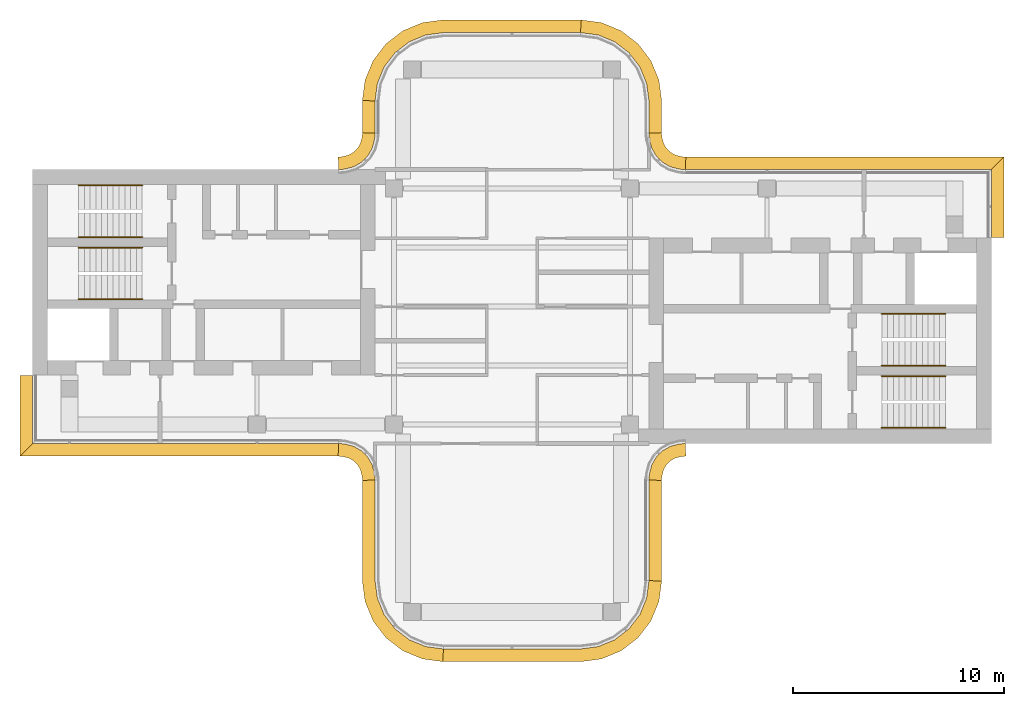
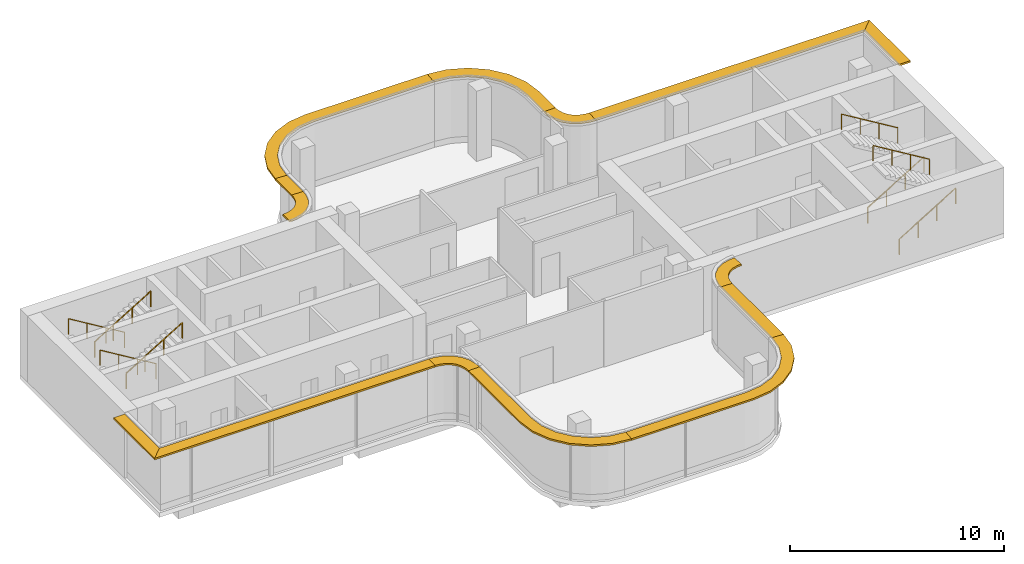
# One storey, part 10 of 10: 14 shading devices, 8 railings.
"""IFC4 building model written with IfcOpenShell, lengths in metres."""

from ifc_helpers import new_model, si_unit, direction, frame, origin, origin_2d, place, context, subcontext, project, spatial, polyline, circle, outline, extrude, source, transform, mapped, material, layer, layer_set, type_object, element, save


model = new_model("IFC4")

# Units and contexts
model_context = context("Model", 3, precision=1e-05, world=origin(), true_north=direction((0.0, 1.0)))
body_context = subcontext(model_context, "Body", "Model", "MODEL_VIEW")
ifc_project = project(units=[si_unit("LENGTHUNIT", "METRE"), si_unit("AREAUNIT", "SQUARE_METRE"), si_unit("VOLUMEUNIT", "CUBIC_METRE"), si_unit("PLANEANGLEUNIT", "RADIAN"), si_unit("MASSUNIT", "GRAM", prefix="KILO")], contexts=[model_context])

# Site, building, storey
site_placement = place(None, origin())
site = spatial("IfcSite", under=ifc_project, at=site_placement, CompositionType="ELEMENT")
building_placement = place(site_placement, origin())
building = spatial("IfcBuilding", under=site, at=building_placement, Name="Trellis Farm Tower", CompositionType="ELEMENT")
storey_placement = place(building_placement, frame((0.0, 0.0, 350.10009765625)))
storey = spatial("IfcBuildingStorey", under=building, at=storey_placement, Name="L79", CompositionType="ELEMENT", Elevation=350.10009765625)

# Railings
ifc_material_1 = material(Name="Stainless steel", Category="steel")
railing_type = type_object("IfcRailingType", Name="STAIR HANDRAIL 900", PredefinedType="HANDRAIL", material=ifc_material_1)
shared_shape_1 = source(origin(), body_context, "Body", "SweptSolid", [
    extrude(circle(Radius=0.02392578125, at=origin_2d()), frame((0.0, 0.0, 0.8759765625), z_axis=(0.855170017971, 0.0, 0.518347605727), x_axis=(0.0, 1.0, 0.0)), (0.0, 0.0, 1.0), 3.537109375),
    extrude(circle(Radius=0.02099609375, at=origin_2d()), origin(), (0.0, 0.0, 1.0), 0.851806640625),
    extrude(circle(Radius=0.02099609375, at=origin_2d()), frame((1.00830078125, 0.0, 0.611083984375)), (0.0, 0.0, 1.0), 0.851806640625),
    extrude(circle(Radius=0.02099609375, at=origin_2d()), frame((2.0166015625, 0.0, 1.222412109375)), (0.0, 0.0, 1.0), 0.851806640625),
    extrude(circle(Radius=0.02099609375, at=origin_2d()), frame((3.02490234375, 0.0, 1.83349609375)), (0.0, 0.0, 1.0), 0.851806640625),
])
for number, where, name in (
    (1, (17.550048828125, -5.75, 0.16650390625), "Stair handrail"),
    (2, (17.550048828125, -2.800048828125, 0.16650390625), "Stair handrail"),
    (3, (-20.574951171875, 3.300048828125, 2.16650390625), "Stair handrail"),
    (4, (-20.574951171875, 0.35009765625, 2.16650390625), "Stair handrail"),
):
    element("IfcRailing", number, at=place(storey_placement, frame(where)), inside=storey, type_object=railing_type, Name=name, PredefinedType="HANDRAIL", context=body_context, shape_type="MappedRepresentation", body=[
        mapped(shared_shape_1, transform((0.0, 0.0, 0.0))),
    ])
shared_shape_2 = source(origin(), body_context, "Body", "SweptSolid", [
    extrude(circle(Radius=0.02392578125, at=origin_2d()), frame((0.0, 0.0, 0.8759765625), z_axis=(-0.855170017971, 0.0, 0.518347605727), x_axis=(0.0, -1.0, 0.0)), (0.0, 0.0, 1.0), 3.537109375),
    extrude(circle(Radius=0.02099609375, at=origin_2d()), origin(), (0.0, 0.0, 1.0), 0.851806640625),
    extrude(circle(Radius=0.02099609375, at=origin_2d()), frame((-1.00830078125, 0.0, 0.611083984375)), (0.0, 0.0, 1.0), 0.851806640625),
    extrude(circle(Radius=0.02099609375, at=origin_2d()), frame((-2.0166015625, 0.0, 1.222412109375)), (0.0, 0.0, 1.0), 0.851806640625),
    extrude(circle(Radius=0.02099609375, at=origin_2d()), frame((-3.02490234375, 0.0, 1.83349609375)), (0.0, 0.0, 1.0), 0.851806640625),
])
for number, where, name in (
    (5, (20.574951171875, -3.300048828125, 2.16650390625), "Stair handrail"),
    (6, (20.574951171875, -0.35009765625, 2.16650390625), "Stair handrail"),
    (7, (-17.550048828125, 5.75, 0.16650390625), "Stair handrail"),
    (8, (-17.550048828125, 2.800048828125, 0.16650390625), "Stair handrail"),
):
    element("IfcRailing", number, at=place(storey_placement, frame(where)), inside=storey, type_object=railing_type, Name=name, PredefinedType="HANDRAIL", context=body_context, shape_type="MappedRepresentation", body=[
        mapped(shared_shape_2, transform((0.0, 0.0, 0.0))),
    ])

# Shading devices
ifc_material_2 = material(Name="Aluminium extrusion 6063-T6", Category="aluminium")
ifc_layer = layer(ifc_material_2, 0.10009765625)
ifc_layer_set = layer_set([ifc_layer], Name="SUNSHADE BLADE 600")
shading_device_type = type_object("IfcShadingDeviceType", Name="SUNSHADE BLADE 600", PredefinedType="USERDEFINED", material=ifc_layer_set)
shared_shape_3 = source(origin(), body_context, "Body", "SweptSolid", [
    extrude(outline(polyline([(7.10009765625, -8.2509765625), (7.111328125, -8.078369140625), (7.1171875, -8.032958984375), (7.19580078125, -7.739990234375), (7.3271484375, -7.5126953125), (7.5126953125, -7.3271484375), (7.739990234375, -7.19580078125), (8.032958984375, -7.1171875), (8.078369140625, -7.111328125), (8.2509765625, -7.10009765625), (8.2314453125, -6.5), (8.01953125, -6.513916015625), (7.91552734375, -6.527587890625), (7.508544921875, -6.63671875), (7.144287109375, -6.846923828125), (6.846923828125, -7.144287109375), (6.63671875, -7.508544921875), (6.527587890625, -7.91552734375), (6.513916015625, -8.01953125), (6.5, -8.2314453125), (7.10009765625, -8.2509765625)])), origin(), (0.0, 0.0, 1.0), 0.10009765625),
])
placement = place(storey_placement, frame((0.0, 0.0, 3.58984375)))
element("IfcShadingDevice", 9, at=placement, inside=storey, type_object=shading_device_type, Name="SD3 004", ObjectType="SUNSHADE", PredefinedType="USERDEFINED", context=body_context, shape_type="MappedRepresentation", body=[
    mapped(shared_shape_3, transform((0.0, 0.0, 0.0))),
])
shared_shape_4 = source(origin(), body_context, "Body", "SweptSolid", [
    extrude(outline(polyline([(23.35009765625, 3.280029296875), (23.35009765625, 7.10009765625), (22.75, 6.5), (22.75, 3.280029296875), (23.35009765625, 3.280029296875)])), origin(), (0.0, 0.0, 1.0), 0.10009765625),
])
element("IfcShadingDevice", 10, at=placement, inside=storey, type_object=shading_device_type, Name="SD3 005", ObjectType="SUNSHADE", PredefinedType="USERDEFINED", context=body_context, shape_type="MappedRepresentation", body=[
    mapped(shared_shape_4, transform((0.0, 0.0, 0.0))),
])
shared_shape_5 = source(origin(), body_context, "Body", "SweptSolid", [
    extrude(outline(polyline([(23.35009765625, 7.10009765625), (8.2509765625, 7.10009765625), (8.2314453125, 6.5), (22.75, 6.5), (23.35009765625, 7.10009765625)])), origin(), (0.0, 0.0, 1.0), 0.10009765625),
])
element("IfcShadingDevice", 11, at=placement, inside=storey, type_object=shading_device_type, Name="SD3 006", ObjectType="SUNSHADE", PredefinedType="USERDEFINED", context=body_context, shape_type="MappedRepresentation", body=[
    mapped(shared_shape_5, transform((0.0, 0.0, 0.0))),
])
shared_shape_6 = source(origin(), body_context, "Body", "SweptSolid", [
    extrude(outline(polyline([(8.2509765625, 7.10009765625), (8.078369140625, 7.111328125), (8.032958984375, 7.1171875), (7.739990234375, 7.19580078125), (7.5126953125, 7.3271484375), (7.3271484375, 7.5126953125), (7.19580078125, 7.739990234375), (7.1171875, 8.032958984375), (7.111328125, 8.078369140625), (7.10009765625, 8.2509765625), (6.5, 8.2314453125), (6.513916015625, 8.01953125), (6.527587890625, 7.91552734375), (6.63671875, 7.508544921875), (6.846923828125, 7.144287109375), (7.144287109375, 6.846923828125), (7.508544921875, 6.63671875), (7.91552734375, 6.527587890625), (8.01953125, 6.513916015625), (8.2314453125, 6.5), (8.2509765625, 7.10009765625)])), origin(), (0.0, 0.0, 1.0), 0.10009765625),
])
element("IfcShadingDevice", 12, at=placement, inside=storey, type_object=shading_device_type, Name="SD3 007", ObjectType="SUNSHADE", PredefinedType="USERDEFINED", context=body_context, shape_type="MappedRepresentation", body=[
    mapped(shared_shape_6, transform((0.0, 0.0, 0.0))),
])
shared_shape_7 = source(origin(), body_context, "Body", "SweptSolid", [
    extrude(outline(polyline([(-7.10009765625, 8.2509765625), (-7.111328125, 8.078369140625), (-7.1171875, 8.032958984375), (-7.19580078125, 7.739990234375), (-7.3271484375, 7.5126953125), (-7.5126953125, 7.3271484375), (-7.739990234375, 7.19580078125), (-8.032958984375, 7.1171875), (-8.078369140625, 7.111328125), (-8.2509765625, 7.10009765625), (-8.2314453125, 6.5), (-8.01953125, 6.513916015625), (-7.91552734375, 6.527587890625), (-7.508544921875, 6.63671875), (-7.144287109375, 6.846923828125), (-6.846923828125, 7.144287109375), (-6.63671875, 7.508544921875), (-6.527587890625, 7.91552734375), (-6.513916015625, 8.01953125), (-6.5, 8.2314453125), (-7.10009765625, 8.2509765625)])), origin(), (0.0, 0.0, 1.0), 0.10009765625),
])
element("IfcShadingDevice", 13, at=placement, inside=storey, type_object=shading_device_type, Name="SD3 011", ObjectType="SUNSHADE", PredefinedType="USERDEFINED", context=body_context, shape_type="MappedRepresentation", body=[
    mapped(shared_shape_7, transform((0.0, 0.0, 0.0))),
])
shared_shape_8 = source(origin(), body_context, "Body", "SweptSolid", [
    extrude(outline(polyline([(-23.35009765625, -3.280029296875), (-23.35009765625, -7.10009765625), (-22.75, -6.5), (-22.75, -3.280029296875), (-23.35009765625, -3.280029296875)])), origin(), (0.0, 0.0, 1.0), 0.10009765625),
])
element("IfcShadingDevice", 14, at=placement, inside=storey, type_object=shading_device_type, Name="SD3 012", ObjectType="SUNSHADE", PredefinedType="USERDEFINED", context=body_context, shape_type="MappedRepresentation", body=[
    mapped(shared_shape_8, transform((0.0, 0.0, 0.0))),
])
shared_shape_9 = source(origin(), body_context, "Body", "SweptSolid", [
    extrude(outline(polyline([(-23.35009765625, -7.10009765625), (-8.2509765625, -7.10009765625), (-8.2314453125, -6.5), (-22.75, -6.5), (-23.35009765625, -7.10009765625)])), origin(), (0.0, 0.0, 1.0), 0.10009765625),
])
element("IfcShadingDevice", 15, at=placement, inside=storey, type_object=shading_device_type, Name="SD3 013", ObjectType="SUNSHADE", PredefinedType="USERDEFINED", context=body_context, shape_type="MappedRepresentation", body=[
    mapped(shared_shape_9, transform((0.0, 0.0, 0.0))),
])
shared_shape_10 = source(origin(), body_context, "Body", "SweptSolid", [
    extrude(outline(polyline([(-8.2509765625, -7.10009765625), (-8.078369140625, -7.111328125), (-8.032958984375, -7.1171875), (-7.739990234375, -7.19580078125), (-7.5126953125, -7.3271484375), (-7.3271484375, -7.5126953125), (-7.19580078125, -7.739990234375), (-7.1171875, -8.032958984375), (-7.111328125, -8.078369140625), (-7.10009765625, -8.2509765625), (-6.5, -8.2314453125), (-6.513916015625, -8.01953125), (-6.527587890625, -7.91552734375), (-6.63671875, -7.508544921875), (-6.846923828125, -7.144287109375), (-7.144287109375, -6.846923828125), (-7.508544921875, -6.63671875), (-7.91552734375, -6.527587890625), (-8.01953125, -6.513916015625), (-8.2314453125, -6.5), (-8.2509765625, -7.10009765625)])), origin(), (0.0, 0.0, 1.0), 0.10009765625),
])
element("IfcShadingDevice", 16, at=placement, inside=storey, type_object=shading_device_type, Name="SD3 014", ObjectType="SUNSHADE", PredefinedType="USERDEFINED", context=body_context, shape_type="MappedRepresentation", body=[
    mapped(shared_shape_10, transform((0.0, 0.0, 0.0))),
])
shared_shape_11 = source(origin(), body_context, "Body", "SweptSolid", [
    extrude(outline(polyline([(-7.10009765625, -8.2509765625), (-7.10009765625, -13.039306640625), (-6.973876953125, -13.997802734375), (-6.588623046875, -14.927490234375), (-5.97607421875, -15.72607421875), (-5.177490234375, -16.338623046875), (-4.247802734375, -16.723876953125), (-3.289306640625, -16.85009765625), (-3.25, -16.25), (-4.091064453125, -16.13916015625), (-4.875, -15.814697265625), (-5.548095703125, -15.298095703125), (-6.064697265625, -14.625), (-6.38916015625, -13.841064453125), (-6.5, -13.0), (-6.5, -8.2314453125), (-7.10009765625, -8.2509765625)])), origin(), (0.0, 0.0, 1.0), 0.10009765625),
])
element("IfcShadingDevice", 17, at=placement, inside=storey, type_object=shading_device_type, Name="SD3 001", ObjectType="SUNSHADE", PredefinedType="USERDEFINED", context=body_context, shape_type="MappedRepresentation", body=[
    mapped(shared_shape_11, transform((0.0, 0.0, 0.0))),
])
shared_shape_12 = source(origin(), body_context, "Body", "SweptSolid", [
    extrude(outline(polyline([(-3.289306640625, -16.85009765625), (3.289306640625, -16.85009765625), (4.247802734375, -16.723876953125), (5.177490234375, -16.338623046875), (5.97607421875, -15.72607421875), (6.588623046875, -14.927490234375), (6.973876953125, -13.997802734375), (7.10009765625, -13.039306640625), (6.5, -13.0), (6.38916015625, -13.841064453125), (6.064697265625, -14.625), (5.548095703125, -15.298095703125), (4.875, -15.814697265625), (4.091064453125, -16.13916015625), (3.25, -16.25), (-3.25, -16.25), (-3.289306640625, -16.85009765625)])), origin(), (0.0, 0.0, 1.0), 0.10009765625),
])
element("IfcShadingDevice", 18, at=placement, inside=storey, type_object=shading_device_type, Name="SD3 002", ObjectType="SUNSHADE", PredefinedType="USERDEFINED", context=body_context, shape_type="MappedRepresentation", body=[
    mapped(shared_shape_12, transform((0.0, 0.0, 0.0))),
])
shared_shape_13 = source(origin(), body_context, "Body", "SweptSolid", [
    extrude(outline(polyline([(7.10009765625, -13.039306640625), (7.10009765625, -8.2509765625), (6.5, -8.2314453125), (6.5, -13.0), (7.10009765625, -13.039306640625)])), origin(), (0.0, 0.0, 1.0), 0.10009765625),
])
element("IfcShadingDevice", 19, at=placement, inside=storey, type_object=shading_device_type, Name="SD3 003", ObjectType="SUNSHADE", PredefinedType="USERDEFINED", context=body_context, shape_type="MappedRepresentation", body=[
    mapped(shared_shape_13, transform((0.0, 0.0, 0.0))),
])
shared_shape_14 = source(origin(), body_context, "Body", "SweptSolid", [
    extrude(outline(polyline([(7.10009765625, 8.2509765625), (7.10009765625, 9.789306640625), (6.973876953125, 10.747802734375), (6.588623046875, 11.677490234375), (5.97607421875, 12.47607421875), (5.177490234375, 13.088623046875), (4.247802734375, 13.473876953125), (3.289306640625, 13.60009765625), (3.25, 13.0), (4.091064453125, 12.88916015625), (4.875, 12.564697265625), (5.548095703125, 12.048095703125), (6.064697265625, 11.375), (6.38916015625, 10.591064453125), (6.5, 9.75), (6.5, 8.2314453125), (7.10009765625, 8.2509765625)])), origin(), (0.0, 0.0, 1.0), 0.10009765625),
])
element("IfcShadingDevice", 20, at=placement, inside=storey, type_object=shading_device_type, Name="SD3 008", ObjectType="SUNSHADE", PredefinedType="USERDEFINED", context=body_context, shape_type="MappedRepresentation", body=[
    mapped(shared_shape_14, transform((0.0, 0.0, 0.0))),
])
shared_shape_15 = source(origin(), body_context, "Body", "SweptSolid", [
    extrude(outline(polyline([(3.289306640625, 13.60009765625), (-3.289306640625, 13.60009765625), (-4.247802734375, 13.473876953125), (-5.177490234375, 13.088623046875), (-5.97607421875, 12.47607421875), (-6.588623046875, 11.677490234375), (-6.973876953125, 10.747802734375), (-7.10009765625, 9.789306640625), (-6.5, 9.75), (-6.38916015625, 10.591064453125), (-6.064697265625, 11.375), (-5.548095703125, 12.048095703125), (-4.875, 12.564697265625), (-4.091064453125, 12.88916015625), (-3.25, 13.0), (3.25, 13.0), (3.289306640625, 13.60009765625)])), origin(), (0.0, 0.0, 1.0), 0.10009765625),
])
element("IfcShadingDevice", 21, at=placement, inside=storey, type_object=shading_device_type, Name="SD3 009", ObjectType="SUNSHADE", PredefinedType="USERDEFINED", context=body_context, shape_type="MappedRepresentation", body=[
    mapped(shared_shape_15, transform((0.0, 0.0, 0.0))),
])
shared_shape_16 = source(origin(), body_context, "Body", "SweptSolid", [
    extrude(outline(polyline([(-7.10009765625, 9.789306640625), (-7.10009765625, 8.2509765625), (-6.5, 8.2314453125), (-6.5, 9.75), (-7.10009765625, 9.789306640625)])), origin(), (0.0, 0.0, 1.0), 0.10009765625),
])
element("IfcShadingDevice", 22, at=placement, inside=storey, type_object=shading_device_type, Name="SD3 010", ObjectType="SUNSHADE", PredefinedType="USERDEFINED", context=body_context, shape_type="MappedRepresentation", body=[
    mapped(shared_shape_16, transform((0.0, 0.0, 0.0))),
])

save(model, "model.ifc")
